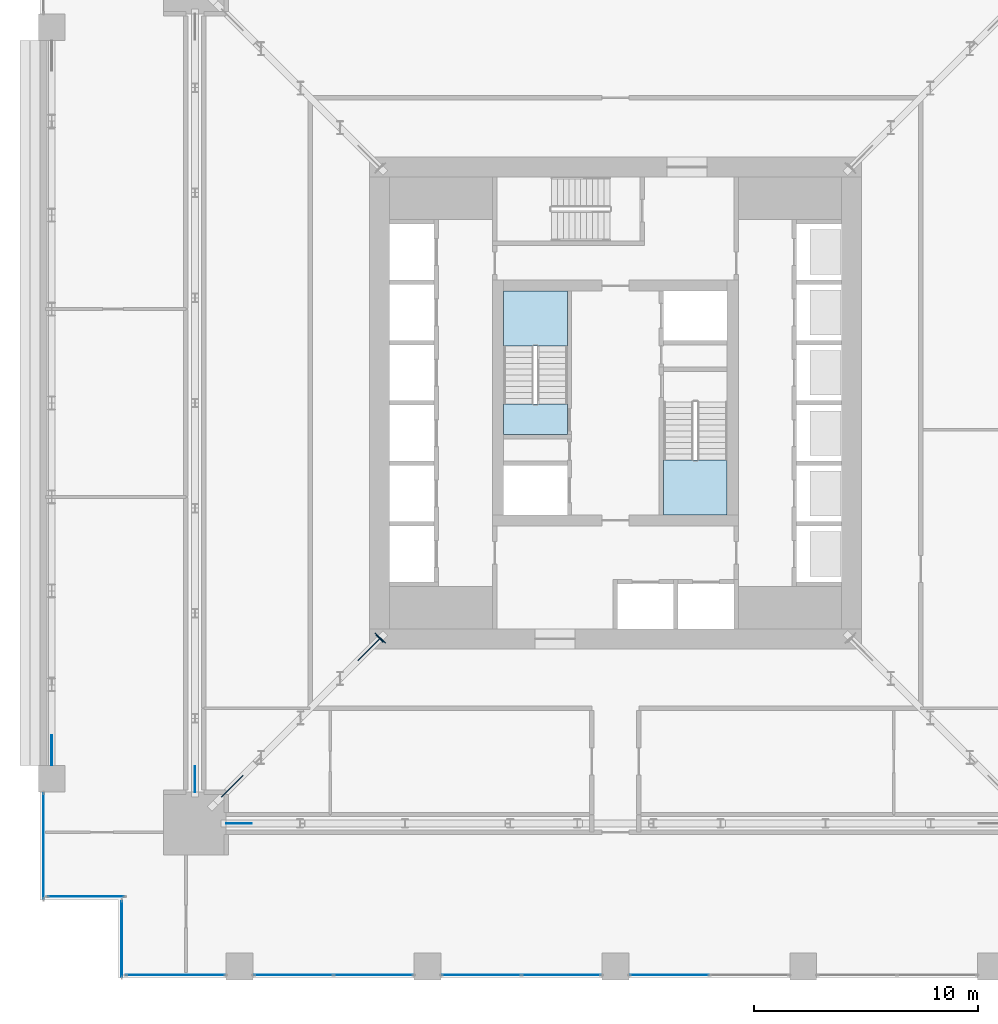
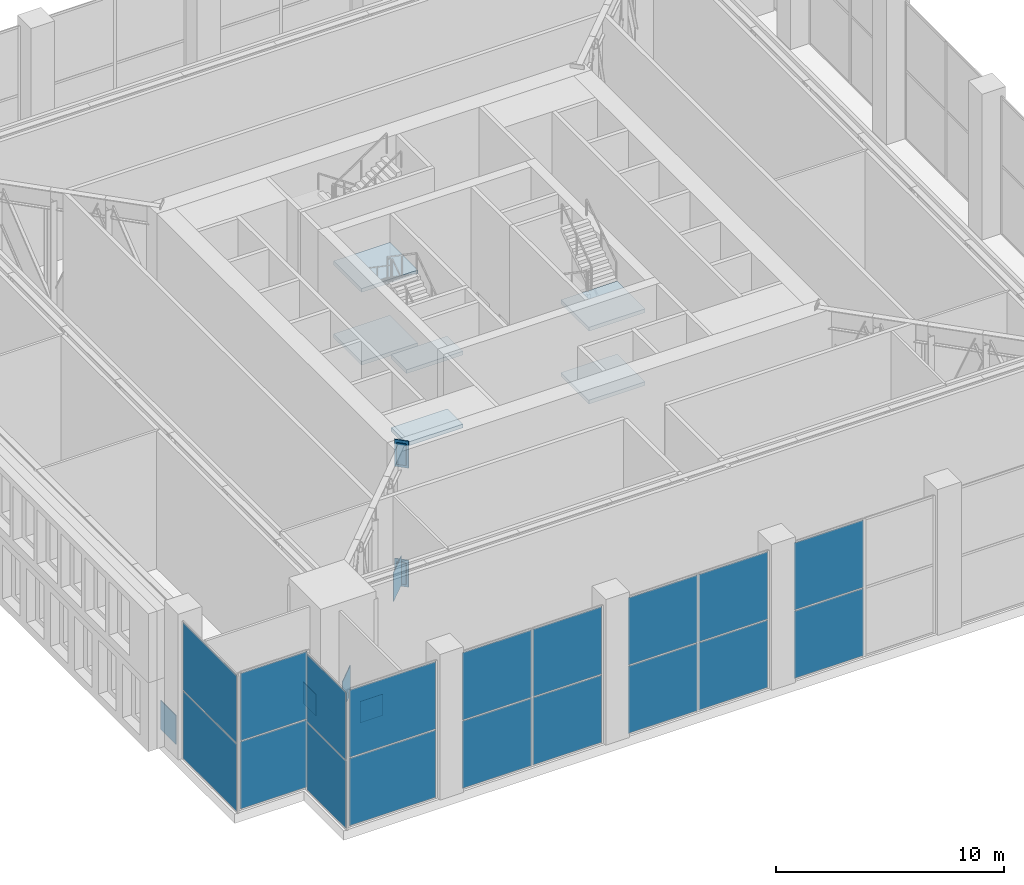
# One storey, part 11 of 21: 27 plates, 6 slabs, 9 elements without a shape of their own.
"""IFC4 building model written with IfcOpenShell, lengths in metres."""

from ifc_helpers import new_model, si_unit, direction, frame, origin, origin_2d, place, context, subcontext, project, spatial, polyline, rectangle, outline, extrude, material, layer, layer_set, type_object, element, aggregate, save


model = new_model("IFC4")

# Units and contexts
model_context = context("Model", 3, precision=1e-05, world=origin(), true_north=direction((0.0, 1.0)))
body_context = subcontext(model_context, "Body", "Model", "MODEL_VIEW")
ifc_project = project(units=[si_unit("LENGTHUNIT", "METRE"), si_unit("AREAUNIT", "SQUARE_METRE"), si_unit("VOLUMEUNIT", "CUBIC_METRE"), si_unit("PLANEANGLEUNIT", "RADIAN"), si_unit("MASSUNIT", "GRAM", prefix="KILO")], contexts=[model_context])

# Site, building, storey
site_placement = place(None, origin())
site = spatial("IfcSite", under=ifc_project, at=site_placement, CompositionType="ELEMENT")
building_placement = place(site_placement, origin())
building = spatial("IfcBuilding", under=site, at=building_placement, Name="Khepri Terraces", CompositionType="ELEMENT")
storey_placement = place(building_placement, frame((0.0, 0.0, 126.0)))
storey = spatial("IfcBuildingStorey", under=building, at=storey_placement, Name="L30", CompositionType="ELEMENT", Elevation=126.0)

# Curtain wall, plates
ifc_material_1 = material(Name="Anodised aluminium bronze curtain wall", Category="aluminium")
curtain_wall_type = type_object("IfcCurtainWallType", Name="CW-SYS3-SKY", PredefinedType="NOTDEFINED", material=ifc_material_1)
curtain_wall_1_placement = place(storey_placement, origin())
curtain_wall_1 = element("IfcCurtainWall", 1, at=curtain_wall_1_placement, inside=storey, type_object=curtain_wall_type, Name="Curtain wall CW3 L30 W", PredefinedType="NOTDEFINED")
ifc_material_2 = material(Name="Clear glass", Category="glass")
ifc_layer_1 = layer(ifc_material_2, 0.028076171875, Name="Clear glass", Category="glass")
ifc_layer_set_1 = layer_set([ifc_layer_1], Name="Clear glass")
plate_type_1 = type_object("IfcPlateType", Name="CW-PANEL-VISION-28", PredefinedType="CURTAIN_PANEL", material=ifc_layer_set_1)
plate_1_placement = place(storey_placement, frame((-25.570068359375, -19.81005859375, 0.06005859375), z_axis=(0.0, 0.0, 1.0), x_axis=(0.0, -1.0, 0.0)))
plate_1 = element("IfcPlate", 2, at=plate_1_placement, type_object=plate_type_1, Name="CW3 panel 1.1", PredefinedType="CURTAIN_PANEL", context=body_context, shape_type="SweptSolid", body=[
    extrude(rectangle(XDim=4.699951171875, YDim=0.028076171875, at=origin_2d()), origin(), (0.0, 0.0, 1.0), 3.60009765625),
])
plate_2_placement = place(storey_placement, frame((-25.570068359375, -19.81005859375, 3.719970703125), z_axis=(0.0, 0.0, 1.0), x_axis=(0.0, -1.0, 0.0)))
plate_2 = element("IfcPlate", 3, at=plate_2_placement, type_object=plate_type_1, Name="CW3 panel 1.2", PredefinedType="CURTAIN_PANEL", context=body_context, shape_type="SweptSolid", body=[
    extrude(rectangle(XDim=4.699951171875, YDim=0.028076171875, at=origin_2d()), origin(), (0.0, 0.0, 1.0), 3.60009765625),
])
aggregate(curtain_wall_1, [plate_1, plate_2])

curtain_wall_2_placement = place(storey_placement, origin())
curtain_wall_2 = element("IfcCurtainWall", 4, at=curtain_wall_2_placement, inside=storey, type_object=curtain_wall_type, Name="Curtain wall CW3 L30 S", PredefinedType="NOTDEFINED")
plate_3_placement = place(storey_placement, frame((-23.669921875, -22.070068359375, 0.06005859375), z_axis=(0.0, 0.0, 1.0), x_axis=(1.0, 0.0, 0.0)))
plate_3 = element("IfcPlate", 5, at=plate_3_placement, type_object=plate_type_1, Name="CW3 panel 1.1", PredefinedType="CURTAIN_PANEL", context=body_context, shape_type="SweptSolid", body=[
    extrude(rectangle(XDim=3.3798828125, YDim=0.028076171875, at=origin_2d()), origin(), (0.0, 0.0, 1.0), 3.60009765625),
])
plate_4_placement = place(storey_placement, frame((-23.669921875, -22.070068359375, 3.719970703125), z_axis=(0.0, 0.0, 1.0), x_axis=(1.0, 0.0, 0.0)))
plate_4 = element("IfcPlate", 6, at=plate_4_placement, type_object=plate_type_1, Name="CW3 panel 1.2", PredefinedType="CURTAIN_PANEL", context=body_context, shape_type="SweptSolid", body=[
    extrude(rectangle(XDim=3.3798828125, YDim=0.028076171875, at=origin_2d()), origin(), (0.0, 0.0, 1.0), 3.60009765625),
])
aggregate(curtain_wall_2, [plate_3, plate_4])

curtain_wall_3_placement = place(storey_placement, origin())
curtain_wall_3 = element("IfcCurtainWall", 7, at=curtain_wall_3_placement, inside=storey, type_object=curtain_wall_type, Name="Curtain wall CW3 L30 W", PredefinedType="NOTDEFINED")
plate_5_placement = place(storey_placement, frame((-22.070068359375, -23.969970703125, 0.06005859375), z_axis=(0.0, 0.0, 1.0), x_axis=(0.0, -1.0, 0.0)))
plate_5 = element("IfcPlate", 8, at=plate_5_placement, type_object=plate_type_1, Name="CW3 panel 1.1", PredefinedType="CURTAIN_PANEL", context=body_context, shape_type="SweptSolid", body=[
    extrude(rectangle(XDim=3.3798828125, YDim=0.028076171875, at=origin_2d()), origin(), (0.0, 0.0, 1.0), 3.60009765625),
])
plate_6_placement = place(storey_placement, frame((-22.070068359375, -23.969970703125, 3.719970703125), z_axis=(0.0, 0.0, 1.0), x_axis=(0.0, -1.0, 0.0)))
plate_6 = element("IfcPlate", 9, at=plate_6_placement, type_object=plate_type_1, Name="CW3 panel 1.2", PredefinedType="CURTAIN_PANEL", context=body_context, shape_type="SweptSolid", body=[
    extrude(rectangle(XDim=3.3798828125, YDim=0.028076171875, at=origin_2d()), origin(), (0.0, 0.0, 1.0), 3.60009765625),
])
aggregate(curtain_wall_3, [plate_5, plate_6])

curtain_wall_4_placement = place(storey_placement, origin())
curtain_wall_4 = element("IfcCurtainWall", 10, at=curtain_wall_4_placement, inside=storey, type_object=curtain_wall_type, Name="Curtain wall CW3 L30 S", PredefinedType="NOTDEFINED")
plate_7_placement = place(storey_placement, frame((-19.659912109375, -25.570068359375, 0.06005859375), z_axis=(0.0, 0.0, 1.0), x_axis=(1.0, 0.0, 0.0)))
plate_7 = element("IfcPlate", 11, at=plate_7_placement, type_object=plate_type_1, Name="CW3 panel 1.1", PredefinedType="CURTAIN_PANEL", context=body_context, shape_type="SweptSolid", body=[
    extrude(rectangle(XDim=4.39990234375, YDim=0.028076171875, at=origin_2d()), origin(), (0.0, 0.0, 1.0), 3.60009765625),
])
plate_8_placement = place(storey_placement, frame((-19.659912109375, -25.570068359375, 3.719970703125), z_axis=(0.0, 0.0, 1.0), x_axis=(1.0, 0.0, 0.0)))
plate_8 = element("IfcPlate", 12, at=plate_8_placement, type_object=plate_type_1, Name="CW3 panel 1.2", PredefinedType="CURTAIN_PANEL", context=body_context, shape_type="SweptSolid", body=[
    extrude(rectangle(XDim=4.39990234375, YDim=0.028076171875, at=origin_2d()), origin(), (0.0, 0.0, 1.0), 3.60009765625),
])
aggregate(curtain_wall_4, [plate_7, plate_8])

curtain_wall_5_placement = place(storey_placement, origin())
curtain_wall_5 = element("IfcCurtainWall", 13, at=curtain_wall_5_placement, inside=storey, type_object=curtain_wall_type, Name="Curtain wall CW3 L30 S", PredefinedType="NOTDEFINED")
plate_9_placement = place(storey_placement, frame((-14.385009765625, -25.570068359375, 0.06005859375), z_axis=(0.0, 0.0, 1.0), x_axis=(1.0, 0.0, 0.0)))
plate_9 = element("IfcPlate", 14, at=plate_9_placement, type_object=plate_type_1, Name="CW3 panel 1.1", PredefinedType="CURTAIN_PANEL", context=body_context, shape_type="SweptSolid", body=[
    extrude(rectangle(XDim=3.510009765625, YDim=0.028076171875, at=origin_2d()), origin(), (0.0, 0.0, 1.0), 3.60009765625),
])
plate_10_placement = place(storey_placement, frame((-14.385009765625, -25.570068359375, 3.719970703125), z_axis=(0.0, 0.0, 1.0), x_axis=(1.0, 0.0, 0.0)))
plate_10 = element("IfcPlate", 15, at=plate_10_placement, type_object=plate_type_1, Name="CW3 panel 1.2", PredefinedType="CURTAIN_PANEL", context=body_context, shape_type="SweptSolid", body=[
    extrude(rectangle(XDim=3.510009765625, YDim=0.028076171875, at=origin_2d()), origin(), (0.0, 0.0, 1.0), 3.60009765625),
])
plate_11_placement = place(storey_placement, frame((-10.81494140625, -25.570068359375, 0.06005859375), z_axis=(0.0, 0.0, 1.0), x_axis=(1.0, 0.0, 0.0)))
plate_11 = element("IfcPlate", 16, at=plate_11_placement, type_object=plate_type_1, Name="CW3 panel 2.1", PredefinedType="CURTAIN_PANEL", context=body_context, shape_type="SweptSolid", body=[
    extrude(rectangle(XDim=3.510009765625, YDim=0.028076171875, at=origin_2d()), origin(), (0.0, 0.0, 1.0), 3.60009765625),
])
plate_12_placement = place(storey_placement, frame((-10.81494140625, -25.570068359375, 3.719970703125), z_axis=(0.0, 0.0, 1.0), x_axis=(1.0, 0.0, 0.0)))
plate_12 = element("IfcPlate", 17, at=plate_12_placement, type_object=plate_type_1, Name="CW3 panel 2.2", PredefinedType="CURTAIN_PANEL", context=body_context, shape_type="SweptSolid", body=[
    extrude(rectangle(XDim=3.510009765625, YDim=0.028076171875, at=origin_2d()), origin(), (0.0, 0.0, 1.0), 3.60009765625),
])
aggregate(curtain_wall_5, [plate_9, plate_10, plate_11, plate_12])

curtain_wall_6_placement = place(storey_placement, origin())
curtain_wall_6 = element("IfcCurtainWall", 18, at=curtain_wall_6_placement, inside=storey, type_object=curtain_wall_type, Name="Curtain wall CW3 L30 S", PredefinedType="NOTDEFINED")
plate_13_placement = place(storey_placement, frame((-5.985107421875, -25.570068359375, 0.06005859375), z_axis=(0.0, 0.0, 1.0), x_axis=(1.0, 0.0, 0.0)))
plate_13 = element("IfcPlate", 19, at=plate_13_placement, type_object=plate_type_1, Name="CW3 panel 1.1", PredefinedType="CURTAIN_PANEL", context=body_context, shape_type="SweptSolid", body=[
    extrude(rectangle(XDim=3.510009765625, YDim=0.028076171875, at=origin_2d()), origin(), (0.0, 0.0, 1.0), 3.60009765625),
])
plate_14_placement = place(storey_placement, frame((-5.985107421875, -25.570068359375, 3.719970703125), z_axis=(0.0, 0.0, 1.0), x_axis=(1.0, 0.0, 0.0)))
plate_14 = element("IfcPlate", 20, at=plate_14_placement, type_object=plate_type_1, Name="CW3 panel 1.2", PredefinedType="CURTAIN_PANEL", context=body_context, shape_type="SweptSolid", body=[
    extrude(rectangle(XDim=3.510009765625, YDim=0.028076171875, at=origin_2d()), origin(), (0.0, 0.0, 1.0), 3.60009765625),
])
plate_15_placement = place(storey_placement, frame((-2.4150390625, -25.570068359375, 0.06005859375), z_axis=(0.0, 0.0, 1.0), x_axis=(1.0, 0.0, 0.0)))
plate_15 = element("IfcPlate", 21, at=plate_15_placement, type_object=plate_type_1, Name="CW3 panel 2.1", PredefinedType="CURTAIN_PANEL", context=body_context, shape_type="SweptSolid", body=[
    extrude(rectangle(XDim=3.510009765625, YDim=0.028076171875, at=origin_2d()), origin(), (0.0, 0.0, 1.0), 3.60009765625),
])
plate_16_placement = place(storey_placement, frame((-2.4150390625, -25.570068359375, 3.719970703125), z_axis=(0.0, 0.0, 1.0), x_axis=(1.0, 0.0, 0.0)))
plate_16 = element("IfcPlate", 22, at=plate_16_placement, type_object=plate_type_1, Name="CW3 panel 2.2", PredefinedType="CURTAIN_PANEL", context=body_context, shape_type="SweptSolid", body=[
    extrude(rectangle(XDim=3.510009765625, YDim=0.028076171875, at=origin_2d()), origin(), (0.0, 0.0, 1.0), 3.60009765625),
])
aggregate(curtain_wall_6, [plate_13, plate_14, plate_15, plate_16])

curtain_wall_7_placement = place(storey_placement, origin())
curtain_wall_7 = element("IfcCurtainWall", 23, at=curtain_wall_7_placement, inside=storey, type_object=curtain_wall_type, Name="Curtain wall CW3 L30 S", PredefinedType="NOTDEFINED")
plate_17_placement = place(storey_placement, frame((2.4150390625, -25.570068359375, 0.06005859375), z_axis=(0.0, 0.0, 1.0), x_axis=(1.0, 0.0, 0.0)))
plate_17 = element("IfcPlate", 24, at=plate_17_placement, type_object=plate_type_1, Name="CW3 panel 1.1", PredefinedType="CURTAIN_PANEL", context=body_context, shape_type="SweptSolid", body=[
    extrude(rectangle(XDim=3.510009765625, YDim=0.028076171875, at=origin_2d()), origin(), (0.0, 0.0, 1.0), 3.60009765625),
])
plate_18_placement = place(storey_placement, frame((2.4150390625, -25.570068359375, 3.719970703125), z_axis=(0.0, 0.0, 1.0), x_axis=(1.0, 0.0, 0.0)))
plate_18 = element("IfcPlate", 25, at=plate_18_placement, type_object=plate_type_1, Name="CW3 panel 1.2", PredefinedType="CURTAIN_PANEL", context=body_context, shape_type="SweptSolid", body=[
    extrude(rectangle(XDim=3.510009765625, YDim=0.028076171875, at=origin_2d()), origin(), (0.0, 0.0, 1.0), 3.60009765625),
])
aggregate(curtain_wall_7, [plate_17, plate_18])

# Plates
ifc_material_3 = material(Name="Steel S355", Category="steel")
ifc_layer_2 = layer(ifc_material_3, 0.034912109375, Name="Steel S355", Category="steel")
ifc_layer_set_2 = layer_set([ifc_layer_2], Name="Steel S355")
plate_type_2 = type_object("IfcPlateType", Name="Cast-in plate 1450x650x35", PredefinedType="USERDEFINED", material=ifc_layer_set_2)
for number, where, z_axis, x_axis, name in (
    (26, (-10.50927734375, -10.50927734375, -0.22119140625), (0.0, 0.0, 1.0), (-0.707106781187, -0.707106781187, 0.0), "CAST-IN PLATE OT-30-WS BOT wall A"),
    (27, (-10.50927734375, -10.50927734375, 6.15087890625), (0.0, 0.0, 1.0), (-0.707106781187, -0.707106781187, 0.0), "CAST-IN PLATE OT-30-WS TOP wall A"),
):
    element("IfcPlate", number, at=place(storey_placement, frame(where, z_axis=z_axis, x_axis=x_axis)), inside=storey, type_object=plate_type_2, Name=name, ObjectType="CAST-IN PLATE", PredefinedType="USERDEFINED", context=body_context, shape_type="SweptSolid", body=[
        extrude(rectangle(XDim=0.034912109375, YDim=0.64990234375, at=origin_2d()), origin(), (0.0, 0.0, 1.0), 1.449951171875),
    ])
ifc_layer_3 = layer(ifc_material_3, 0.0400390625, Name="Steel S355", Category="steel")
ifc_layer_set_3 = layer_set([ifc_layer_3], Name="Steel S355")
plate_type_3 = type_object("IfcPlateType", Name="End plate 1150x450x40", PredefinedType="USERDEFINED", material=ifc_layer_set_3)
for number, where, z_axis, x_axis, name in (
    (28, (-10.535888671875, -10.535888671875, -0.071044921875), (0.0, 0.0, 1.0), (-0.707106781187, -0.707106781187, 0.0), "END PLATE OT-30-WS BOT end A"),
    (29, (-10.535888671875, -10.535888671875, 6.301025390625), (0.0, 0.0, 1.0), (-0.707106781187, -0.707106781187, 0.0), "END PLATE OT-30-WS TOP end A"),
):
    element("IfcPlate", number, at=place(storey_placement, frame(where, z_axis=z_axis, x_axis=x_axis)), inside=storey, type_object=plate_type_3, Name=name, ObjectType="END PLATE", PredefinedType="USERDEFINED", context=body_context, shape_type="SweptSolid", body=[
        extrude(rectangle(XDim=0.0400390625, YDim=0.449951171875, at=origin_2d()), origin(), (0.0, 0.0, 1.0), 1.14990234375),
    ])
ifc_layer_4 = layer(ifc_material_3, 0.030029296875, Name="Steel S355", Category="steel")
ifc_layer_set_4 = layer_set([ifc_layer_4], Name="Steel S355")
plate_type_4 = type_object("IfcPlateType", Name="Gusset plate 1150x1150x30", PredefinedType="USERDEFINED", material=ifc_layer_set_4)
for number, where, z_axis, x_axis, name in (
    (30, (-16.824951171875, -18.800048828125, -0.099853515625), (0.0, 0.0, 1.0), (1.0, 0.0, 0.0), "GUSSET PLATE BT-30-S column node A"),
    (31, (-18.800048828125, -16.824951171875, -0.099853515625), (0.0, 0.0, 1.0), (0.0, -1.0, 0.0), "GUSSET PLATE BT-30-W column node B"),
):
    element("IfcPlate", number, at=place(storey_placement, frame(where, z_axis=z_axis, x_axis=x_axis)), inside=storey, type_object=plate_type_4, Name=name, ObjectType="GUSSET PLATE", PredefinedType="USERDEFINED", context=body_context, shape_type="SweptSolid", body=[
        extrude(rectangle(XDim=1.14990234375, YDim=0.030029296875, at=origin_2d()), origin(), (0.0, 0.0, 1.0), 1.14990234375),
    ])
ifc_layer_5 = layer(ifc_material_3, 0.034912109375, Name="Steel S355", Category="steel")
ifc_layer_set_5 = layer_set([ifc_layer_5], Name="Steel S355")
plate_type_5 = type_object("IfcPlateType", Name="Gusset plate 1350x1550x35", PredefinedType="USERDEFINED", material=ifc_layer_set_5)
for number, where, z_axis, x_axis, name in (
    (32, (-11.02734375, -11.02734375, -0.10009765625), (0.0, 0.0, 1.0), (-0.707106781187, -0.707106781187, 0.0), "GUSSET PLATE OT-30-WS node A"),
    (33, (-17.134765625, -17.134765625, -0.10009765625), (0.0, 0.0, 1.0), (-0.707106781187, -0.707106781187, 0.0), "GUSSET PLATE OT-30-WS column node B"),
    (34, (-25.199951171875, -15.52490234375, -0.10009765625), (0.0, 0.0, 1.0), (0.0, -1.0, 0.0), "GUSSET PLATE TT-30-W column node B"),
):
    element("IfcPlate", number, at=place(storey_placement, frame(where, z_axis=z_axis, x_axis=x_axis)), inside=storey, type_object=plate_type_5, Name=name, ObjectType="GUSSET PLATE", PredefinedType="USERDEFINED", context=body_context, shape_type="SweptSolid", body=[
        extrude(rectangle(XDim=1.35009765625, YDim=0.034912109375, at=origin_2d()), origin(), (0.0, 0.0, 1.0), 1.550048828125),
    ])

# Stair, slabs
ifc_material_4 = material(Name="Concrete C40/50", Category="concrete")
stair_type = type_object("IfcStairType", Name="STAIR-RC-44R", PredefinedType="HALF_TURN_STAIR", material=ifc_material_4)
stair_1_placement = place(storey_placement, origin())
stair_1 = element("IfcStair", 35, at=stair_1_placement, inside=storey, type_object=stair_type, Name="L30 Exit Stair ST-1", PredefinedType="HALF_TURN_STAIR")
ifc_layer_6 = layer(ifc_material_4, 0.199951171875, Name="Concrete C40/50", Category="concrete")
ifc_layer_set_6 = layer_set([ifc_layer_6], Name="Concrete C40/50")
slab_type = type_object("IfcSlabType", Name="SLB-CORE-LANDING", PredefinedType="LANDING", material=ifc_layer_set_6)
slab_1_placement = place(storey_placement, frame((0.0, 0.0, -0.199951171875)))
slab_1 = element("IfcSlab", 36, at=slab_1_placement, type_object=slab_type, Name="ST-1 landing 1", PredefinedType="LANDING", context=body_context, shape_type="SweptSolid", body=[
    extrude(outline(polyline([(-2.14990234375, -1.39990234375), (-2.14990234375, -0.050048828125), (-5.0, -0.050048828125), (-5.0, -1.39990234375), (-2.14990234375, -1.39990234375)])), origin(), (0.0, 0.0, 1.0), 0.199951171875),
])
slab_2_placement = place(storey_placement, frame((0.0, 0.0, 1.75)))
slab_2 = element("IfcSlab", 37, at=slab_2_placement, type_object=slab_type, Name="ST-1 landing 2", PredefinedType="LANDING", context=body_context, shape_type="SweptSolid", body=[
    extrude(outline(polyline([(-2.14990234375, 2.550048828125), (-2.14990234375, 5.0), (-5.0, 5.0), (-5.0, 2.550048828125), (-2.14990234375, 2.550048828125)])), origin(), (0.0, 0.0, 1.0), 0.199951171875),
])
slab_3_placement = place(storey_placement, frame((0.0, 0.0, 3.699951171875)))
slab_3 = element("IfcSlab", 38, at=slab_3_placement, type_object=slab_type, Name="ST-1 landing 3", PredefinedType="LANDING", context=body_context, shape_type="SweptSolid", body=[
    extrude(outline(polyline([(-2.14990234375, -1.39990234375), (-2.14990234375, -0.050048828125), (-5.0, -0.050048828125), (-5.0, -1.39990234375), (-2.14990234375, -1.39990234375)])), origin(), (0.0, 0.0, 1.0), 0.199951171875),
])
slab_4_placement = place(storey_placement, frame((0.0, 0.0, 5.64990234375)))
slab_4 = element("IfcSlab", 39, at=slab_4_placement, type_object=slab_type, Name="ST-1 landing 4", PredefinedType="LANDING", context=body_context, shape_type="SweptSolid", body=[
    extrude(outline(polyline([(-2.14990234375, 2.550048828125), (-2.14990234375, 5.0), (-5.0, 5.0), (-5.0, 2.550048828125), (-2.14990234375, 2.550048828125)])), origin(), (0.0, 0.0, 1.0), 0.2001953125),
])
aggregate(stair_1, [slab_1, slab_2, slab_3, slab_4])

stair_2_placement = place(storey_placement, origin())
stair_2 = element("IfcStair", 40, at=stair_2_placement, inside=storey, type_object=stair_type, Name="L30 Exit Stair ST-2", PredefinedType="HALF_TURN_STAIR")
slab_5_placement = place(storey_placement, frame((0.0, 0.0, 1.75)))
slab_5 = element("IfcSlab", 41, at=slab_5_placement, type_object=slab_type, Name="ST-2 landing 2", PredefinedType="LANDING", context=body_context, shape_type="SweptSolid", body=[
    extrude(outline(polyline([(2.14990234375, -2.550048828125), (2.14990234375, -5.0), (5.0, -5.0), (5.0, -2.550048828125), (2.14990234375, -2.550048828125)])), origin(), (0.0, 0.0, 1.0), 0.199951171875),
])
slab_6_placement = place(storey_placement, frame((0.0, 0.0, 5.64990234375)))
slab_6 = element("IfcSlab", 42, at=slab_6_placement, type_object=slab_type, Name="ST-2 landing 4", PredefinedType="LANDING", context=body_context, shape_type="SweptSolid", body=[
    extrude(outline(polyline([(2.14990234375, -2.550048828125), (2.14990234375, -5.0), (5.0, -5.0), (5.0, -2.550048828125), (2.14990234375, -2.550048828125)])), origin(), (0.0, 0.0, 1.0), 0.2001953125),
])
aggregate(stair_2, [slab_5, slab_6])

save(model, "model.ifc")
